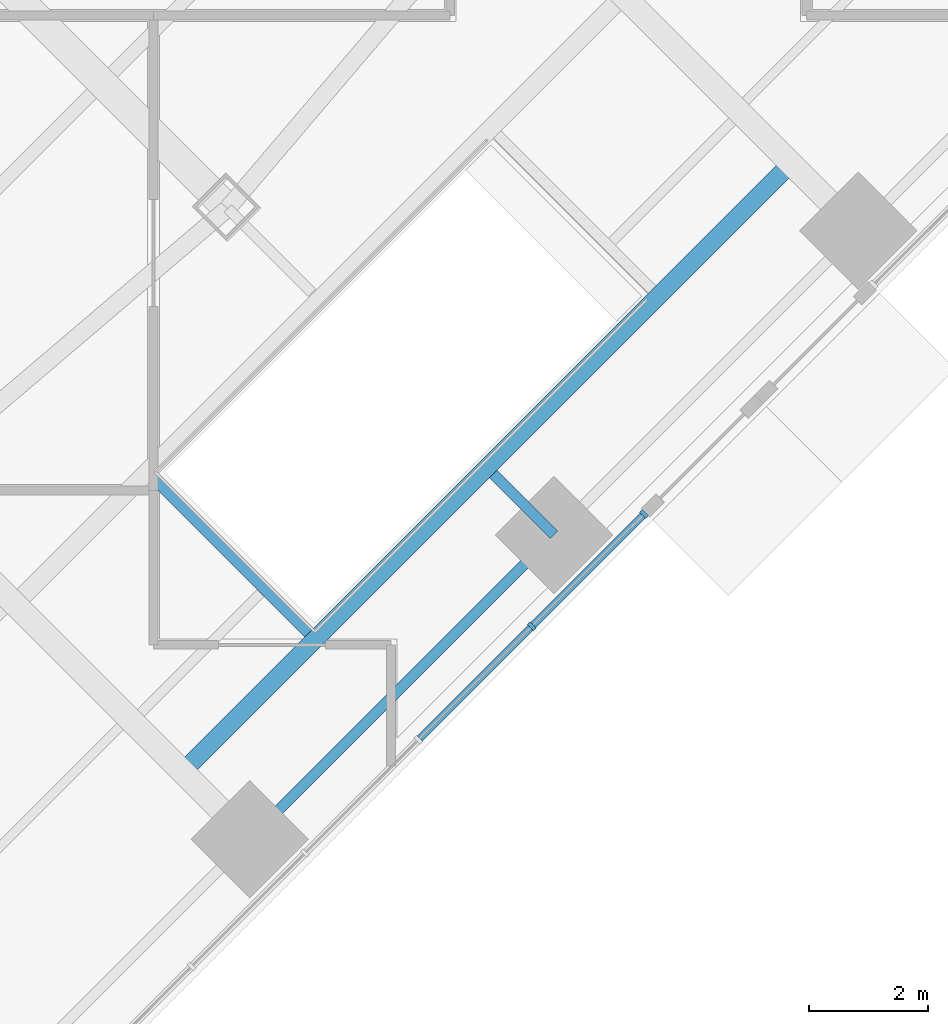
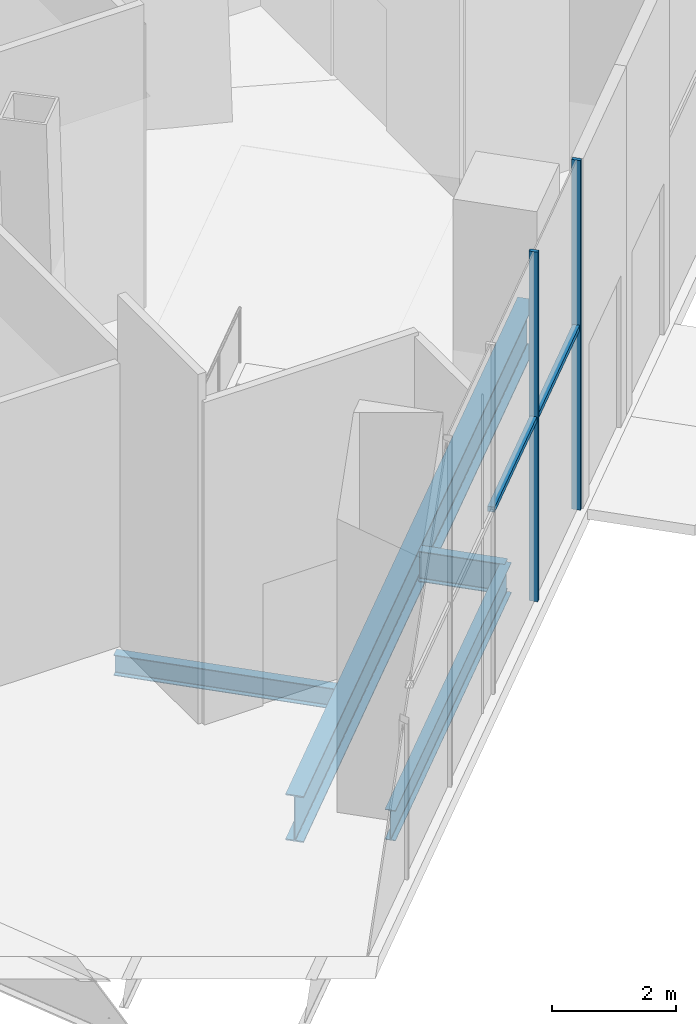
# One storey, part 6 of 35: 5 members, 3 beams, 1 element without a shape of its own.
"""IFC4 building model written with IfcOpenShell, lengths in metres."""

from ifc_helpers import new_model, si_unit, direction, frame, origin, origin_2d, place, context, subcontext, project, spatial, rectangle, i_section, extrude, source, transform, mapped, material, material_profile, profile_set, type_object, type_shapes, element, aggregate, save


model = new_model("IFC4")

# Units and contexts
model_context = context("Model", 3, precision=1e-05, world=origin(), true_north=direction((0.0, 1.0)))
body_context = subcontext(model_context, "Body", "Model", "MODEL_VIEW")
ifc_project = project(units=[si_unit("LENGTHUNIT", "METRE"), si_unit("AREAUNIT", "SQUARE_METRE"), si_unit("VOLUMEUNIT", "CUBIC_METRE"), si_unit("PLANEANGLEUNIT", "RADIAN"), si_unit("MASSUNIT", "GRAM", prefix="KILO")], contexts=[model_context])

# Site, building, storey
site_placement = place(None, origin())
site = spatial("IfcSite", under=ifc_project, at=site_placement, CompositionType="ELEMENT")
building_placement = place(site_placement, origin())
building = spatial("IfcBuilding", under=site, at=building_placement, Name="Mashrafa Tower", CompositionType="ELEMENT")
storey_placement = place(building_placement, origin())
storey = spatial("IfcBuildingStorey", under=building, at=storey_placement, Name="L00", CompositionType="ELEMENT", Elevation=0.0)

# Beams
ifc_material_1 = material(Name="Steel ASTM A992", Category="steel")
ifc_material_profile_1 = material_profile(ifc_material_1, i_section(OverallWidth=0.177734375, OverallDepth=0.406494140625, WebThickness=0.0078125, FlangeThickness=0.012939453125, FilletRadius=0.01025390625, at=origin_2d()), Name="W16X40")
ifc_profile_set_1 = profile_set([ifc_material_profile_1], Name="Steel ASTM A992")
beam_type_1 = type_object("IfcBeamType", Name="Beam W16X40", PredefinedType="BEAM", material=ifc_profile_set_1)
beam_1_placement = place(storey_placement, frame((20.6103515625, -26.40869140625, -0.503173828125), z_axis=(-0.707106781187, 0.707106781187, 0.0), x_axis=(-0.707106781187, -0.707106781187, 0.0)))
element("IfcBeam", 1, at=beam_1_placement, inside=storey, type_object=beam_type_1, Name="Header beam L00 106", PredefinedType="BEAM", context=body_context, shape_type="SweptSolid", body=[
    extrude(i_section(OverallWidth=0.177734375, OverallDepth=0.406494140625, WebThickness=0.0078125, FlangeThickness=0.012939453125, FilletRadius=0.01025390625, at=origin_2d()), origin(), (0.0, 0.0, 1.0), 3.695068359375),
])
ifc_material_2 = material(Name="Steel ASTM A992", Category="steel")
ifc_material_profile_2 = material_profile(ifc_material_2, i_section(OverallWidth=0.177978515625, OverallDepth=0.599365234375, WebThickness=0.010009765625, FlangeThickness=0.012939453125, FilletRadius=0.012939453125, at=origin_2d()), Name="W24X55")
ifc_profile_set_2 = profile_set([ifc_material_profile_2], Name="Steel ASTM A992")
beam_type_2 = type_object("IfcBeamType", Name="Beam W24X55", PredefinedType="BEAM", material=ifc_profile_set_2)
beam_2_placement = place(storey_placement, frame((19.623046875, -29.87451171875, -0.599609375), z_axis=(0.707106781187, 0.707106781187, 0.0), x_axis=(-0.707106781187, 0.707106781187, 0.0)))
element("IfcBeam", 2, at=beam_2_placement, inside=storey, type_object=beam_type_2, Name="Podium edge beam L00 129", PredefinedType="BEAM", context=body_context, shape_type="SweptSolid", body=[
    extrude(i_section(OverallWidth=0.177978515625, OverallDepth=0.599365234375, WebThickness=0.010009765625, FlangeThickness=0.012939453125, FilletRadius=0.012939453125, at=origin_2d()), origin(), (0.0, 0.0, 1.0), 7.248779296875),
])
ifc_material_3 = material(Name="Steel ASTM A992", Category="steel")
ifc_material_profile_3 = material_profile(ifc_material_3, i_section(OverallWidth=0.3046875, OverallDepth=0.911865234375, WebThickness=0.015869140625, FlangeThickness=0.02392578125, FilletRadius=0.01904296875, at=origin_2d()), Name="W36X150")
ifc_profile_set_3 = profile_set([ifc_material_profile_3], Name="Steel ASTM A992")
beam_type_3 = type_object("IfcBeamType", Name="Beam W36X150", PredefinedType="BEAM", material=ifc_profile_set_3)
beam_3_placement = place(storey_placement, frame((18.49169921875, -28.742919921875, -0.755859375), z_axis=(0.707106781187, 0.707106781187, 0.0), x_axis=(-0.707106781187, 0.707106781187, 0.0)))
element("IfcBeam", 3, at=beam_3_placement, inside=storey, type_object=beam_type_3, Name="Trimmer beam L00 214", PredefinedType="BEAM", context=body_context, shape_type="SweptSolid", body=[
    extrude(i_section(OverallWidth=0.3046875, OverallDepth=0.911865234375, WebThickness=0.015869140625, FlangeThickness=0.02392578125, FilletRadius=0.01904296875, at=origin_2d()), origin(), (0.0, 0.0, 1.0), 14.497314453125),
])

# Member
ifc_material_4 = material(Name="Steel ASTM A992", Category="steel")
ifc_material_profile_4 = material_profile(ifc_material_4, i_section(OverallWidth=0.177978515625, OverallDepth=0.599365234375, WebThickness=0.010009765625, FlangeThickness=0.012939453125, FilletRadius=0.012939453125, at=origin_2d()), Name="W24X55")
ifc_profile_set_4 = profile_set([ifc_material_profile_4], Name="Steel ASTM A992")
member_type_1 = type_object("IfcMemberType", Name="Tie strut W24X55", PredefinedType="STRUT", material=ifc_profile_set_4)
shared_shape_1 = source(origin(), body_context, "Body", "SweptSolid", [
    extrude(i_section(OverallWidth=0.177978515625, OverallDepth=0.599365234375, WebThickness=0.010009765625, FlangeThickness=0.012939453125, FilletRadius=0.012939453125, at=origin_2d()), origin(), (0.0, 0.0, 1.0), 1.44775390625),
])
type_shapes(member_type_1, [shared_shape_1])
member_1_placement = place(storey_placement, frame((23.72509765625, -23.72509765625, -0.599609375), z_axis=(0.707106781187, -0.707106781187, 0.0), x_axis=(0.707106781187, 0.707106781187, 0.0)))
element("IfcMember", 4, at=member_1_placement, inside=storey, type_object=member_type_1, Name="Tie strut L00 171", PredefinedType="STRUT", context=body_context, shape_type="MappedRepresentation", body=[
    mapped(shared_shape_1, transform((0.0, 0.0, 0.0))),
])

# Curtain wall, members
ifc_material_5 = material(Name="Unitised aluminium curtain wall", Category="aluminium")
curtain_wall_type = type_object("IfcCurtainWallType", Name="Podium storefront CW-P 150 deep", PredefinedType="NOTDEFINED", material=ifc_material_5)
curtain_wall_placement = place(storey_placement, origin())
curtain_wall = element("IfcCurtainWall", 5, at=curtain_wall_placement, inside=storey, type_object=curtain_wall_type, Name="Podium storefront L00 south-east part 1", PredefinedType="NOTDEFINED")
ifc_material_6 = material(Name="Extruded aluminium mullion", Category="aluminium")
ifc_material_profile_5 = material_profile(ifc_material_6, rectangle(XDim=0.14990234375, YDim=0.06494140625, at=origin_2d()), Name="Mullion 65x150")
ifc_profile_set_5 = profile_set([ifc_material_profile_5], Name="Extruded aluminium mullion")
member_type_2 = type_object("IfcMemberType", Name="Mullion CW-P 65 x 150", PredefinedType="MULLION", material=ifc_profile_set_5)
shared_shape_2 = source(origin(), body_context, "Body", "SweptSolid", [
    extrude(rectangle(XDim=0.14990234375, YDim=0.06494140625, at=origin_2d()), origin(), (0.0, 0.0, 1.0), 6.89990234375),
])
type_shapes(member_type_2, [shared_shape_2])
member_2_placement = place(storey_placement, frame((24.376220703125, -26.2880859375, 0.0), z_axis=(0.0, 0.0, 1.0), x_axis=(-0.707106781187, 0.707106781187, 0.0)))
member_2 = element("IfcMember", 6, at=member_2_placement, type_object=member_type_2, Name="CW-P mullion 5", PredefinedType="MULLION", context=body_context, shape_type="MappedRepresentation", body=[
    mapped(shared_shape_2, transform((0.0, 0.0, 0.0))),
])
member_3_placement = place(storey_placement, frame((26.26513671875, -24.399169921875, 0.0), z_axis=(0.0, 0.0, 1.0), x_axis=(-0.707106781187, 0.707106781187, 0.0)))
member_3 = element("IfcMember", 7, at=member_3_placement, type_object=member_type_2, Name="CW-P mullion 6", PredefinedType="MULLION", context=body_context, shape_type="MappedRepresentation", body=[
    mapped(shared_shape_2, transform((0.0, 0.0, 0.0))),
])
ifc_material_7 = material(Name="Extruded aluminium transom", Category="aluminium")
ifc_material_profile_6 = material_profile(ifc_material_7, rectangle(XDim=0.1201171875, YDim=0.10009765625, at=origin_2d()), Name="Transom 100x120")
ifc_profile_set_6 = profile_set([ifc_material_profile_6], Name="Extruded aluminium transom")
member_type_3 = type_object("IfcMemberType", Name="Transom CW-P 100 x 120", PredefinedType="MULLION", material=ifc_profile_set_6)
shared_shape_3 = source(origin(), body_context, "Body", "SweptSolid", [
    extrude(rectangle(XDim=0.1201171875, YDim=0.10009765625, at=origin_2d()), origin(), (0.0, 0.0, 1.0), 2.606201171875),
])
member_4_placement = place(storey_placement, frame((24.399169921875, -26.26513671875, 3.60009765625), z_axis=(0.707059942066, 0.707153617204, 0.0), x_axis=(-0.707153617204, 0.707059942066, 0.0)))
member_4 = element("IfcMember", 8, at=member_4_placement, type_object=member_type_3, Name="CW-P transom 5", PredefinedType="MULLION", context=body_context, shape_type="MappedRepresentation", body=[
    mapped(shared_shape_3, transform((0.0, 0.0, 0.0))),
])
shared_shape_4 = source(origin(), body_context, "Body", "SweptSolid", [
    extrude(rectangle(XDim=0.1201171875, YDim=0.10009765625, at=origin_2d()), origin(), (0.0, 0.0, 1.0), 2.638671875),
])
type_shapes(member_type_3, [shared_shape_3, shared_shape_4])
member_5_placement = place(storey_placement, frame((22.4873046875, -28.1767578125, 3.60009765625), z_axis=(0.707153041157, 0.707060518189, 0.0), x_axis=(-0.707060518189, 0.707153041157, 0.0)))
member_5 = element("IfcMember", 9, at=member_5_placement, type_object=member_type_3, Name="CW-P transom 4", PredefinedType="MULLION", context=body_context, shape_type="MappedRepresentation", body=[
    mapped(shared_shape_4, transform((0.0, 0.0, 0.0))),
])
aggregate(curtain_wall, [member_2, member_3, member_5, member_4])

save(model, "model.ifc")
